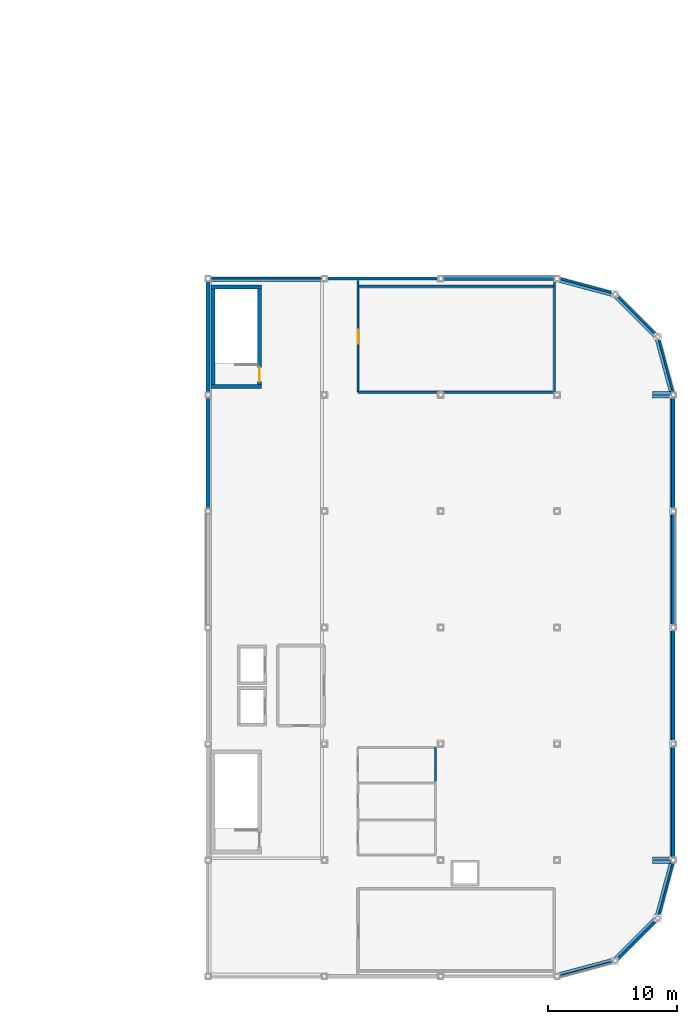
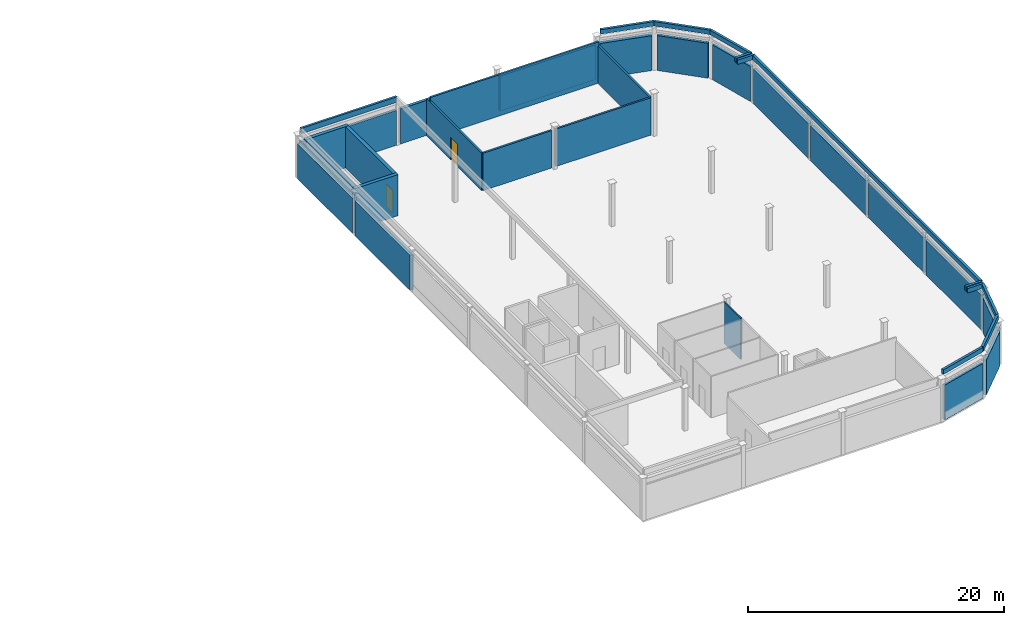
# One storey, part 11 of 14: 37 walls, 2 doors, 2 openings.
"""IFC4 building model written with IfcOpenShell, lengths in metres."""

from ifc_helpers import new_model, si_unit, direction, frame, frame_2d, origin, place, context, subcontext, project, spatial, rectangle, extrude, material, layer, layer_set, type_object, element, fill, save


model = new_model("IFC4")

# Units and contexts
model_context = context("Model", 3, precision=1e-05, world=origin(), true_north=direction((0.0, 1.0)))
body_context = subcontext(model_context, "Body", "Model", "MODEL_VIEW")
ifc_project = project(units=[si_unit("LENGTHUNIT", "METRE"), si_unit("AREAUNIT", "SQUARE_METRE"), si_unit("VOLUMEUNIT", "CUBIC_METRE"), si_unit("PLANEANGLEUNIT", "RADIAN"), si_unit("MASSUNIT", "GRAM", prefix="KILO")], contexts=[model_context])

# Site, building, storey
site_placement = place(None, origin())
site = spatial("IfcSite", under=ifc_project, at=site_placement, CompositionType="ELEMENT")
building_placement = place(site_placement, origin())
building = spatial("IfcBuilding", under=site, at=building_placement, Name="Suzunagisa Mobility Hub", CompositionType="ELEMENT")
storey_placement = place(building_placement, frame((0.0, 0.0, 26.10009765625)))
storey = spatial("IfcBuildingStorey", under=building, at=storey_placement, Name="L06", CompositionType="ELEMENT", Elevation=26.10009765625)

# Walls
ifc_material_1 = material(Name="Concrete C30/37", Category="concrete")
ifc_layer_1 = layer(ifc_material_1, 0.18994140625)
ifc_layer_set_1 = layer_set([ifc_layer_1], Name="Concrete C30/37")
wall_type_1 = type_object("IfcWallType", Name="Exterior Wall EW-01 190mm", PredefinedType="PARAPET", material=ifc_layer_set_1)
wall_1_placement = place(storey_placement, frame((144.14990234375, 97.85009765625, 4.199951171875), z_axis=(0.0, 0.0, 1.0), x_axis=(1.0, 0.0, 0.0)))
element("IfcWall", 1, at=wall_1_placement, inside=storey, type_object=wall_type_1, Name="Roof Overrun Parapet PR-524", PredefinedType="PARAPET", context=body_context, shape_type="SweptSolid", body=[
    extrude(rectangle(XDim=8.670166015625, YDim=0.18994140625, at=frame_2d((4.3349609375, 0.0))), origin(), (0.0, 0.0, 1.0), 0.52001953125),
])
ifc_material_2 = material(Name="Porcelain-Faced Insulated Concrete C30/37 Wall", Category="concrete")
ifc_layer_2 = layer(ifc_material_2, 0.260009765625)
ifc_layer_set_2 = layer_set([ifc_layer_2], Name="Porcelain-Faced Insulated Concrete C30/37 Wall")
wall_type_2 = type_object("IfcWallType", Name="Exterior Wall EW-03 260mm", PredefinedType="SOLIDWALL", material=ifc_layer_set_2)
wall_2_placement = place(storey_placement, frame((180.0, 53.175048828125, 0.0), z_axis=(0.0, 0.0, 1.0), x_axis=(0.0, 1.0, 0.0)))
element("IfcWall", 2, at=wall_2_placement, inside=storey, type_object=wall_type_2, Name="L06 Exterior Facade Wall EW-438", PredefinedType="SOLIDWALL", context=body_context, shape_type="SweptSolid", body=[
    extrude(rectangle(XDim=8.64990234375, YDim=0.260009765625, at=frame_2d((4.324951171875, 0.0))), origin(), (0.0, 0.0, 1.0), 3.33984375),
])
wall_3_placement = place(storey_placement, frame((179.944580078125, 89.20703125, 0.0), z_axis=(0.0, 0.0, 1.0), x_axis=(-0.258823661135, 0.965924589415, 0.0)))
element("IfcWall", 3, at=wall_3_placement, inside=storey, type_object=wall_type_2, Name="L06 Exterior Facade Wall EW-442", PredefinedType="SOLIDWALL", context=body_context, shape_type="SweptSolid", body=[
    extrude(rectangle(XDim=4.226806640625, YDim=0.260009765625, at=frame_2d((2.11328125, 0.0))), origin(), (0.0, 0.0, 1.0), 3.33984375),
])
wall_4_placement = place(storey_placement, frame((161.824951171875, 98.0, 0.0), z_axis=(0.0, 0.0, 1.0), x_axis=(-1.0, 0.0, 0.0)))
element("IfcWall", 4, at=wall_4_placement, inside=storey, type_object=wall_type_2, Name="L06 Exterior Facade Wall EW-446", PredefinedType="SOLIDWALL", context=body_context, shape_type="SweptSolid", body=[
    extrude(rectangle(XDim=8.64990234375, YDim=0.260009765625, at=frame_2d((4.324951171875, 0.0))), origin(), (0.0, 0.0, 1.0), 3.33984375),
])
ifc_material_3 = material(Name="Lightweight Insulated Autoclaved Concrete C30/37 Wall", Category="concrete")
ifc_layer_3 = layer(ifc_material_3, 0.239990234375)
ifc_layer_set_3 = layer_set([ifc_layer_3], Name="Lightweight Insulated Autoclaved Concrete C30/37 Wall")
wall_type_3 = type_object("IfcWallType", Name="Exterior Wall EW-04 240mm", PredefinedType="SOLIDWALL", material=ifc_layer_set_3)
wall_5_placement = place(storey_placement, frame((171.20703125, 44.055419921875, 0.0), z_axis=(0.0, 0.0, 1.0), x_axis=(0.965924589415, 0.258823661135, 0.0)))
element("IfcWall", 5, at=wall_5_placement, inside=storey, type_object=wall_type_3, Name="L06 Exterior Facade Wall EW-435", PredefinedType="SOLIDWALL", context=body_context, shape_type="SweptSolid", body=[
    extrude(rectangle(XDim=4.226806640625, YDim=0.239990234375, at=frame_2d((2.11328125, 0.0))), origin(), (0.0, 0.0, 1.0), 3.33984375),
])
wall_6_placement = place(storey_placement, frame((180.0, 62.175048828125, 0.0), z_axis=(0.0, 0.0, 1.0), x_axis=(0.0, 1.0, 0.0)))
element("IfcWall", 6, at=wall_6_placement, inside=storey, type_object=wall_type_3, Name="L06 Exterior Facade Wall EW-439", PredefinedType="SOLIDWALL", context=body_context, shape_type="SweptSolid", body=[
    extrude(rectangle(XDim=8.64990234375, YDim=0.239990234375, at=frame_2d((4.324951171875, 0.0))), origin(), (0.0, 0.0, 1.0), 3.33984375),
])
wall_7_placement = place(storey_placement, frame((178.616455078125, 93.677734375, 0.0), z_axis=(0.0, 0.0, 1.0), x_axis=(-0.707106781187, 0.707106781187, 0.0)))
element("IfcWall", 7, at=wall_7_placement, inside=storey, type_object=wall_type_3, Name="L06 Exterior Facade Wall EW-443", PredefinedType="SOLIDWALL", context=body_context, shape_type="SweptSolid", body=[
    extrude(rectangle(XDim=4.156005859375, YDim=0.239990234375, at=frame_2d((2.078125, 0.0))), origin(), (0.0, 0.0, 1.0), 3.33984375),
])
wall_8_placement = place(storey_placement, frame((152.824951171875, 98.0, 0.0), z_axis=(0.0, 0.0, 1.0), x_axis=(-1.0, 0.0, 0.0)))
element("IfcWall", 8, at=wall_8_placement, inside=storey, type_object=wall_type_3, Name="L06 Exterior Facade Wall EW-447", PredefinedType="SOLIDWALL", context=body_context, shape_type="SweptSolid", body=[
    extrude(rectangle(XDim=8.64990234375, YDim=0.239990234375, at=frame_2d((4.324951171875, 0.0))), origin(), (0.0, 0.0, 1.0), 3.33984375),
])
ifc_layer_4 = layer(ifc_material_1, 0.219970703125)
ifc_layer_set_4 = layer_set([ifc_layer_4], Name="Concrete C30/37")
wall_type_4 = type_object("IfcWallType", Name="Exterior Wall EW-05 220mm", PredefinedType="PARAPET", material=ifc_layer_set_4)
wall_9_placement = place(storey_placement, frame((179.8173828125, 52.860107421875, 4.294921875), z_axis=(0.0, 0.0, 1.0), x_axis=(-0.258781905852, -0.965935776956, 0.0)))
element("IfcWall", 9, at=wall_9_placement, inside=storey, type_object=wall_type_4, Name="L06 Roof Setback Parapet PR-504", PredefinedType="PARAPET", context=body_context, shape_type="SweptSolid", body=[
    extrude(rectangle(XDim=4.438720703125, YDim=0.219970703125, at=frame_2d((2.21923828125, 0.0))), origin(), (0.0, 0.0, 1.0), 0.425048828125),
])
wall_10_placement = place(storey_placement, frame((178.668701171875, 48.572509765625, 4.294921875), z_axis=(0.0, 0.0, 1.0), x_axis=(-0.707106781187, -0.707106781187, 0.0)))
element("IfcWall", 10, at=wall_10_placement, inside=storey, type_object=wall_type_4, Name="L06 Roof Setback Parapet PR-505", PredefinedType="PARAPET", context=body_context, shape_type="SweptSolid", body=[
    extrude(rectangle(XDim=4.583740234375, YDim=0.219970703125, at=frame_2d((2.2919921875, 0.0))), origin(), (0.0, 0.0, 1.0), 0.425048828125),
])
wall_11_placement = place(storey_placement, frame((175.427490234375, 45.331298828125, 4.294921875), z_axis=(0.0, 0.0, 1.0), x_axis=(-0.96592315171, -0.258829026561, 0.0)))
element("IfcWall", 11, at=wall_11_placement, inside=storey, type_object=wall_type_4, Name="L06 Roof Setback Parapet PR-506", PredefinedType="PARAPET", context=body_context, shape_type="SweptSolid", body=[
    extrude(rectangle(XDim=4.376708984375, YDim=0.219970703125, at=frame_2d((2.1884765625, 0.0))), origin(), (0.0, 0.0, 1.0), 0.425048828125),
])
wall_12_placement = place(storey_placement, frame((178.39990234375, 52.860107421875, 4.294921875), z_axis=(0.0, 0.0, 1.0), x_axis=(1.0, 0.0, 0.0)))
element("IfcWall", 12, at=wall_12_placement, inside=storey, type_object=wall_type_4, Name="L06 Roof Setback Parapet PR-507", PredefinedType="PARAPET", context=body_context, shape_type="SweptSolid", body=[
    extrude(rectangle(XDim=1.41748046875, YDim=0.219970703125, at=frame_2d((0.708740234375, 0.0))), origin(), (0.0, 0.0, 1.0), 0.425048828125),
])
wall_13_placement = place(storey_placement, frame((171.199951171875, 97.801513671875, 4.294921875), z_axis=(0.0, 0.0, 1.0), x_axis=(0.96592315171, -0.258829026561, 0.0)))
element("IfcWall", 13, at=wall_13_placement, inside=storey, type_object=wall_type_4, Name="L06 Roof Setback Parapet PR-508", PredefinedType="PARAPET", context=body_context, shape_type="SweptSolid", body=[
    extrude(rectangle(XDim=4.376708984375, YDim=0.219970703125, at=frame_2d((2.1884765625, 0.0))), origin(), (0.0, 0.0, 1.0), 0.425048828125),
])
wall_14_placement = place(storey_placement, frame((175.427490234375, 96.668701171875, 4.294921875), z_axis=(0.0, 0.0, 1.0), x_axis=(0.707106781187, -0.707106781187, 0.0)))
element("IfcWall", 14, at=wall_14_placement, inside=storey, type_object=wall_type_4, Name="L06 Roof Setback Parapet PR-509", PredefinedType="PARAPET", context=body_context, shape_type="SweptSolid", body=[
    extrude(rectangle(XDim=4.583740234375, YDim=0.219970703125, at=frame_2d((2.2919921875, 0.0))), origin(), (0.0, 0.0, 1.0), 0.425048828125),
])
wall_15_placement = place(storey_placement, frame((178.668701171875, 93.427490234375, 4.294921875), z_axis=(0.0, 0.0, 1.0), x_axis=(0.258781905852, -0.965935776956, 0.0)))
element("IfcWall", 15, at=wall_15_placement, inside=storey, type_object=wall_type_4, Name="L06 Roof Setback Parapet PR-510", PredefinedType="PARAPET", context=body_context, shape_type="SweptSolid", body=[
    extrude(rectangle(XDim=4.438720703125, YDim=0.219970703125, at=frame_2d((2.21923828125, 0.0))), origin(), (0.0, 0.0, 1.0), 0.425048828125),
])
wall_16_placement = place(storey_placement, frame((179.8173828125, 89.139892578125, 4.294921875), z_axis=(0.0, 0.0, 1.0), x_axis=(-1.0, 0.0, 0.0)))
element("IfcWall", 16, at=wall_16_placement, inside=storey, type_object=wall_type_4, Name="L06 Roof Setback Parapet PR-511", PredefinedType="PARAPET", context=body_context, shape_type="SweptSolid", body=[
    extrude(rectangle(XDim=1.41748046875, YDim=0.219970703125, at=frame_2d((0.708740234375, 0.0))), origin(), (0.0, 0.0, 1.0), 0.425048828125),
])
wall_17_placement = place(storey_placement, frame((179.860107421875, 88.860107421875, 4.294921875), z_axis=(0.0, 0.0, 1.0), x_axis=(0.0, -1.0, 0.0)))
element("IfcWall", 17, at=wall_17_placement, inside=storey, type_object=wall_type_4, Name="L06 Roof Setback Parapet PR-512", PredefinedType="PARAPET", context=body_context, shape_type="SweptSolid", body=[
    extrude(rectangle(XDim=35.72021484375, YDim=0.219970703125, at=frame_2d((17.860107421875, 0.0))), origin(), (0.0, 0.0, 1.0), 0.425048828125),
])
for number, where, z_axis, x_axis, name in (
    (18, (179.860107421875, 53.139892578125, 4.294921875), (0.0, 0.0, 1.0), (-1.0, 0.0, 0.0), "L06 Roof Setback Parapet PR-513"),
    (19, (178.39990234375, 88.860107421875, 4.294921875), (0.0, 0.0, 1.0), (1.0, 0.0, 0.0), "L06 Roof Setback Parapet PR-514"),
):
    element("IfcWall", number, at=place(storey_placement, frame(where, z_axis=z_axis, x_axis=x_axis)), inside=storey, type_object=wall_type_4, Name=name, PredefinedType="PARAPET", context=body_context, shape_type="SweptSolid", body=[
        extrude(rectangle(XDim=1.460205078125, YDim=0.219970703125, at=frame_2d((0.72998046875, 0.0))), origin(), (0.0, 0.0, 1.0), 0.425048828125),
    ])
ifc_layer_5 = layer(ifc_material_2, 0.280029296875)
ifc_layer_set_5 = layer_set([ifc_layer_5], Name="Porcelain-Faced Insulated Concrete C30/37 Wall")
wall_type_5 = type_object("IfcWallType", Name="Exterior Wall EW-08 280mm", PredefinedType="SOLIDWALL", material=ifc_layer_set_5)
wall_18_placement = place(storey_placement, frame((178.8505859375, 48.710205078125, 0.0), z_axis=(0.0, 0.0, 1.0), x_axis=(0.258823661135, 0.965924589415, 0.0)))
element("IfcWall", 20, at=wall_18_placement, inside=storey, type_object=wall_type_5, Name="L06 Exterior Facade Wall EW-437", PredefinedType="SOLIDWALL", context=body_context, shape_type="SweptSolid", body=[
    extrude(rectangle(XDim=4.226806640625, YDim=0.280029296875, at=frame_2d((2.11328125, 0.0))), origin(), (0.0, 0.0, 1.0), 3.33984375),
])
for number, where, z_axis, x_axis, name in (
    (21, (180.0, 80.175048828125, 0.0), (0.0, 0.0, 1.0), (0.0, 1.0, 0.0), "L06 Exterior Facade Wall EW-441"),
    (22, (170.824951171875, 98.0, 0.0), (0.0, 0.0, 1.0), (-1.0, 0.0, 0.0), "L06 Exterior Facade Wall EW-445"),
    (23, (144.0, 88.824951171875, 0.0), (0.0, 0.0, 1.0), (0.0, -1.0, 0.0), "L06 Exterior Facade Wall EW-449"),
):
    element("IfcWall", number, at=place(storey_placement, frame(where, z_axis=z_axis, x_axis=x_axis)), inside=storey, type_object=wall_type_5, Name=name, PredefinedType="SOLIDWALL", context=body_context, shape_type="SweptSolid", body=[
        extrude(rectangle(XDim=8.64990234375, YDim=0.280029296875, at=frame_2d((4.324951171875, 0.0))), origin(), (0.0, 0.0, 1.0), 3.33984375),
    ])
ifc_material_4 = material(Name="Insulated Precast Concrete C35/45 Panel", Category="concrete")
ifc_layer_6 = layer(ifc_material_4, 0.300048828125)
ifc_layer_set_6 = layer_set([ifc_layer_6], Name="Insulated Precast Concrete C35/45 Panel")
wall_type_6 = type_object("IfcWallType", Name="Exterior Wall EW-09 300mm", PredefinedType="SOLIDWALL", material=ifc_layer_set_6)
wall_19_placement = place(storey_placement, frame((175.677734375, 45.383544921875, 0.0), z_axis=(0.0, 0.0, 1.0), x_axis=(0.707106781187, 0.707106781187, 0.0)))
element("IfcWall", 24, at=wall_19_placement, inside=storey, type_object=wall_type_6, Name="L06 Exterior Facade Wall EW-436", PredefinedType="SOLIDWALL", context=body_context, shape_type="SweptSolid", body=[
    extrude(rectangle(XDim=4.156005859375, YDim=0.300048828125, at=frame_2d((2.078125, 0.0))), origin(), (0.0, 0.0, 1.0), 3.33984375),
])
wall_20_placement = place(storey_placement, frame((180.0, 71.175048828125, 0.0), z_axis=(0.0, 0.0, 1.0), x_axis=(0.0, 1.0, 0.0)))
element("IfcWall", 25, at=wall_20_placement, inside=storey, type_object=wall_type_6, Name="L06 Exterior Facade Wall EW-440", PredefinedType="SOLIDWALL", context=body_context, shape_type="SweptSolid", body=[
    extrude(rectangle(XDim=8.64990234375, YDim=0.300048828125, at=frame_2d((4.324951171875, 0.0))), origin(), (0.0, 0.0, 1.0), 3.33984375),
])
wall_21_placement = place(storey_placement, frame((175.289794921875, 96.8505859375, 0.0), z_axis=(0.0, 0.0, 1.0), x_axis=(-0.965924589415, 0.258823661135, 0.0)))
element("IfcWall", 26, at=wall_21_placement, inside=storey, type_object=wall_type_6, Name="L06 Exterior Facade Wall EW-444", PredefinedType="SOLIDWALL", context=body_context, shape_type="SweptSolid", body=[
    extrude(rectangle(XDim=4.226806640625, YDim=0.300048828125, at=frame_2d((2.11328125, 0.0))), origin(), (0.0, 0.0, 1.0), 3.33984375),
])
wall_22_placement = place(storey_placement, frame((144.0, 97.824951171875, 0.0), z_axis=(0.0, 0.0, 1.0), x_axis=(0.0, -1.0, 0.0)))
element("IfcWall", 27, at=wall_22_placement, inside=storey, type_object=wall_type_6, Name="L06 Exterior Facade Wall EW-448", PredefinedType="SOLIDWALL", context=body_context, shape_type="SweptSolid", body=[
    extrude(rectangle(XDim=8.64990234375, YDim=0.300048828125, at=frame_2d((4.324951171875, 0.0))), origin(), (0.0, 0.0, 1.0), 3.33984375),
])
ifc_material_5 = material(Name="Concrete C35/45", Category="concrete")
ifc_layer_7 = layer(ifc_material_5, 0.31005859375)
ifc_layer_set_7 = layer_set([ifc_layer_7], Name="Concrete C35/45")
wall_type_7 = type_object("IfcWallType", Name="Interior Wall IW-01 310mm", PredefinedType="SHEAR", material=ifc_layer_set_7)
for number, where, z_axis, x_axis, name in (
    (28, (144.25, 89.64501953125, 0.0), (0.0, 0.0, 1.0), (1.0, 0.0, 0.0), "L06 Core C5B Shear Wall SW-489"),
    (29, (144.25, 97.35498046875, 0.0), (0.0, 0.0, 1.0), (1.0, 0.0, 0.0), "L06 Core C5B Shear Wall SW-490"),
):
    element("IfcWall", number, at=place(storey_placement, frame(where, z_axis=z_axis, x_axis=x_axis)), inside=storey, type_object=wall_type_7, Name=name, PredefinedType="SHEAR", context=body_context, shape_type="SweptSolid", body=[
        extrude(rectangle(XDim=3.89990234375, YDim=0.31005859375, at=frame_2d((1.949951171875, 0.0))), origin(), (0.0, 0.0, 1.0), 3.93994140625),
    ])
wall_23_placement = place(storey_placement, frame((144.405029296875, 89.800048828125, 0.0), z_axis=(0.0, 0.0, 1.0), x_axis=(0.0, 1.0, 0.0)))
element("IfcWall", 30, at=wall_23_placement, inside=storey, type_object=wall_type_7, Name="L06 Core C5B Shear Wall SW-491", PredefinedType="SHEAR", context=body_context, shape_type="SweptSolid", body=[
    extrude(rectangle(XDim=7.39990234375, YDim=0.31005859375, at=frame_2d((3.699951171875, 0.0))), origin(), (0.0, 0.0, 1.0), 3.93994140625),
])

# Wall, opening, door
wall_24_placement = place(storey_placement, frame((147.9951171875, 89.800048828125, 0.0), z_axis=(0.0, 0.0, 1.0), x_axis=(0.0, 1.0, 0.0)))
wall_24 = element("IfcWall", 31, at=wall_24_placement, inside=storey, type_object=wall_type_7, Name="L06 Core C5B Shear Wall SW-492", PredefinedType="SHEAR", context=body_context, shape_type="SweptSolid", body=[
    extrude(rectangle(XDim=7.39990234375, YDim=0.31005859375, at=frame_2d((3.699951171875, 0.0))), origin(), (0.0, 0.0, 1.0), 3.93994140625),
])
opening_1_placement = place(wall_24_placement, frame((0.219970703125, 0.0, 0.0)))
opening_1 = element("IfcOpeningElement", 32, at=opening_1_placement, cuts=wall_24, Name="Opening DR-05", PredefinedType="OPENING", context=body_context, shape_type="SweptSolid", body=[
    extrude(rectangle(XDim=1.10009765625, YDim=2.14990234375, at=frame_2d((0.550048828125, 1.074951171875))), frame((0.0, 0.166015625, 0.0), z_axis=(0.0, -1.0, 0.0), x_axis=(1.0, 0.0, 0.0)), (0.0, 0.0, 1.0), 0.33203125),
])
ifc_material_6 = material(Name="Fire-Rated Hollow Steel Stair Door", Category="steel")
door_type_1 = type_object("IfcDoorType", Name="Interior Door DR-05 1100x2150", OperationType="SINGLE_SWING_LEFT", PredefinedType="DOOR", material=ifc_material_6)
door_1_placement = place(opening_1_placement, origin())
door_1 = element("IfcDoor", 33, at=door_1_placement, inside=storey, type_object=door_type_1, Name="L06 Core C5B Escape Stair Fire Door SD-120", OperationType="SINGLE_SWING_LEFT", OverallHeight=2.14990234375, OverallWidth=1.10009765625, PredefinedType="DOOR", context=body_context, shape_type="SweptSolid", body=[
    extrude(rectangle(XDim=1.10009765625, YDim=2.14990234375, at=frame_2d((0.550048828125, 1.074951171875))), frame((0.0, 0.02490234375, 0.0), z_axis=(0.0, -1.0, 0.0), x_axis=(1.0, 0.0, 0.0)), (0.0, 0.0, 1.0), 0.050048828125),
])
fill(opening_1, door_1)

# Walls
ifc_material_7 = material(Name="Moisture-Resistant Gypsum Partition", Category="gypsum")
ifc_layer_8 = layer(ifc_material_7, 0.1201171875)
ifc_layer_set_8 = layer_set([ifc_layer_8], Name="Moisture-Resistant Gypsum Partition")
wall_type_8 = type_object("IfcWallType", Name="Interior Wall IW-02 120mm", PredefinedType="PARTITIONING", material=ifc_layer_set_8)
wall_25_placement = place(storey_placement, frame((161.60009765625, 59.10009765625, 0.0), z_axis=(0.0, 0.0, 1.0), x_axis=(0.0, 1.0, 0.0)))
element("IfcWall", 34, at=wall_25_placement, inside=storey, type_object=wall_type_8, Name="L06 Accessible Restroom WC L06 Partition PW-644", PredefinedType="PARTITIONING", context=body_context, shape_type="SweptSolid", body=[
    extrude(rectangle(XDim=2.599853515625, YDim=0.1201171875, at=frame_2d((1.2998046875, 0.0))), origin(), (0.0, 0.0, 1.0), 3.93994140625),
])
ifc_material_8 = material(Name="Fire-Rated Gypsum Stud Partition", Category="gypsum")
ifc_layer_9 = layer(ifc_material_8, 0.169921875)
ifc_layer_set_9 = layer_set([ifc_layer_9], Name="Fire-Rated Gypsum Stud Partition")
wall_type_9 = type_object("IfcWallType", Name="Interior Wall IW-05 170mm", PredefinedType="PARTITIONING", material=ifc_layer_set_9)
wall_26_placement = place(storey_placement, frame((155.60009765625, 89.199951171875, 0.0), z_axis=(0.0, 0.0, 1.0), x_axis=(1.0, 0.0, 0.0)))
element("IfcWall", 35, at=wall_26_placement, inside=storey, type_object=wall_type_9, Name="L06 Sports Court Equipment and Timing Control Room Partition PW-901", PredefinedType="PARTITIONING", context=body_context, shape_type="SweptSolid", body=[
    extrude(rectangle(XDim=6.224853515625, YDim=0.169921875, at=frame_2d((3.1123046875, 0.0))), origin(), (0.0, 0.0, 1.0), 3.58056640625),
])
wall_27_placement = place(storey_placement, frame((162.175048828125, 89.199951171875, 0.0), z_axis=(0.0, 0.0, 1.0), x_axis=(1.0, 0.0, 0.0)))
element("IfcWall", 36, at=wall_27_placement, inside=storey, type_object=wall_type_9, Name="L06 Sports Court Equipment and Timing Control Room Partition PW-902", PredefinedType="PARTITIONING", context=body_context, shape_type="SweptSolid", body=[
    extrude(rectangle(XDim=8.625, YDim=0.169921875, at=frame_2d((4.3125, 0.0))), origin(), (0.0, 0.0, 1.0), 3.58056640625),
])
wall_28_placement = place(storey_placement, frame((155.60009765625, 97.39990234375, 0.0), z_axis=(0.0, 0.0, 1.0), x_axis=(1.0, 0.0, 0.0)))
element("IfcWall", 37, at=wall_28_placement, inside=storey, type_object=wall_type_9, Name="L06 Sports Court Equipment and Timing Control Room Partition PW-903", PredefinedType="PARTITIONING", context=body_context, shape_type="SweptSolid", body=[
    extrude(rectangle(XDim=15.199951171875, YDim=0.169921875, at=frame_2d((7.60009765625, 0.0))), origin(), (0.0, 0.0, 1.0), 3.93994140625),
])

# Wall, opening, door
wall_29_placement = place(storey_placement, frame((155.60009765625, 89.199951171875, 0.0), z_axis=(0.0, 0.0, 1.0), x_axis=(0.0, 1.0, 0.0)))
wall_29 = element("IfcWall", 38, at=wall_29_placement, inside=storey, type_object=wall_type_9, Name="L06 Sports Court Equipment and Timing Control Room Partition PW-904", PredefinedType="PARTITIONING", context=body_context, shape_type="SweptSolid", body=[
    extrude(rectangle(XDim=8.635009765625, YDim=0.169921875, at=frame_2d((4.3173828125, 0.0))), origin(), (0.0, 0.0, 1.0), 3.58056640625),
])
opening_2_placement = place(wall_29_placement, frame((3.760009765625, 0.0, 0.0)))
opening_2 = element("IfcOpeningElement", 39, at=opening_2_placement, cuts=wall_29, Name="Opening DR-25", PredefinedType="OPENING", context=body_context, shape_type="SweptSolid", body=[
    extrude(rectangle(XDim=1.080078125, YDim=2.14990234375, at=frame_2d((0.5400390625, 1.074951171875))), frame((0.0, 0.095947265625, 0.0), z_axis=(0.0, -1.0, 0.0), x_axis=(1.0, 0.0, 0.0)), (0.0, 0.0, 1.0), 0.19189453125),
])
ifc_material_9 = material(Name="Anodized Aluminum Framed Acoustic Door", Category="aluminium")
door_type_2 = type_object("IfcDoorType", Name="Interior Door DR-25 1080x2150", OperationType="SINGLE_SWING_LEFT", PredefinedType="DOOR", material=ifc_material_9)
door_2_placement = place(opening_2_placement, origin())
door_2 = element("IfcDoor", 40, at=door_2_placement, inside=storey, type_object=door_type_2, Name="L06 Sports Court Equipment and Timing Control Room Door DR-224", OperationType="SINGLE_SWING_LEFT", OverallHeight=2.14990234375, OverallWidth=1.080078125, PredefinedType="DOOR", context=body_context, shape_type="SweptSolid", body=[
    extrude(rectangle(XDim=1.080078125, YDim=2.14990234375, at=frame_2d((0.5400390625, 1.074951171875))), frame((0.0, 0.02490234375, 0.0), z_axis=(0.0, -1.0, 0.0), x_axis=(1.0, 0.0, 0.0)), (0.0, 0.0, 1.0), 0.050048828125),
])
fill(opening_2, door_2)

# Wall
wall_30_placement = place(storey_placement, frame((170.800048828125, 89.199951171875, 0.0), z_axis=(0.0, 0.0, 1.0), x_axis=(0.0, 1.0, 0.0)))
element("IfcWall", 41, at=wall_30_placement, inside=storey, type_object=wall_type_9, Name="L06 Sports Court Equipment and Timing Control Room Partition PW-905", PredefinedType="PARTITIONING", context=body_context, shape_type="SweptSolid", body=[
    extrude(rectangle(XDim=8.635009765625, YDim=0.169921875, at=frame_2d((4.3173828125, 0.0))), origin(), (0.0, 0.0, 1.0), 3.58056640625),
])

save(model, "model.ifc")
